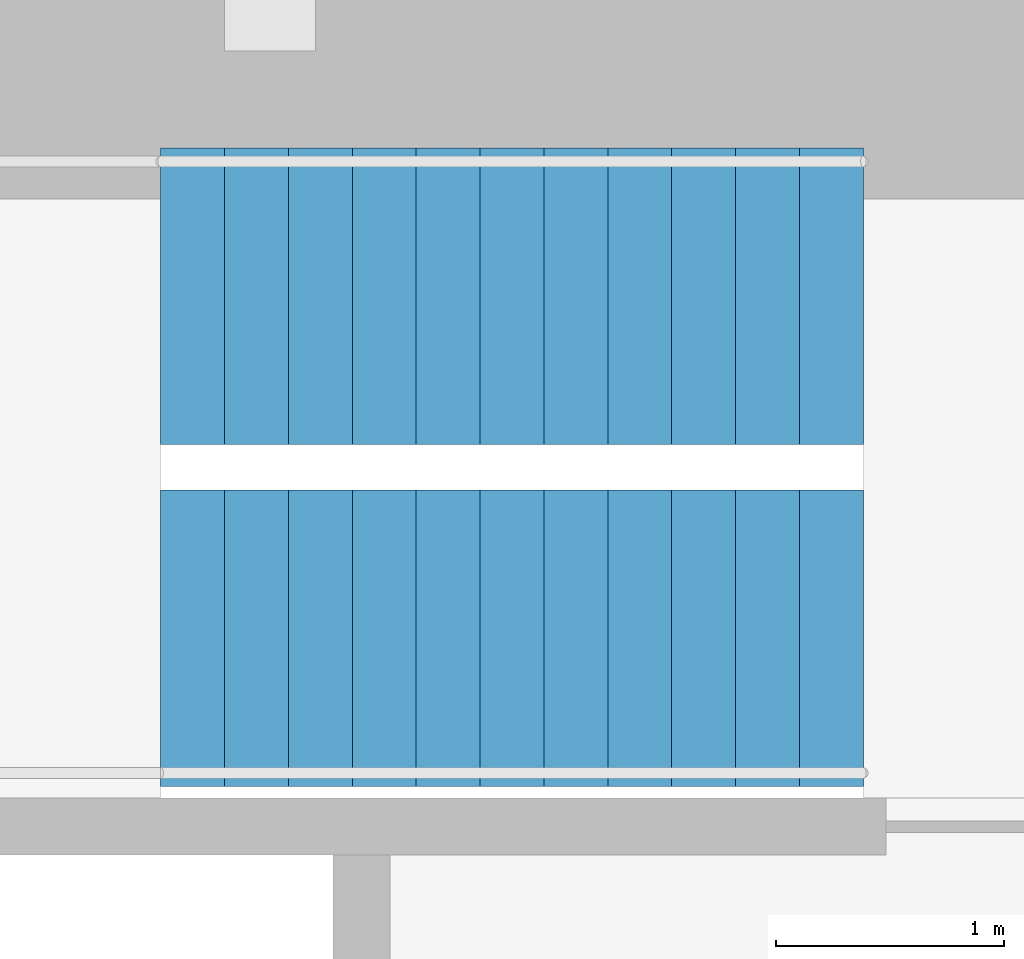
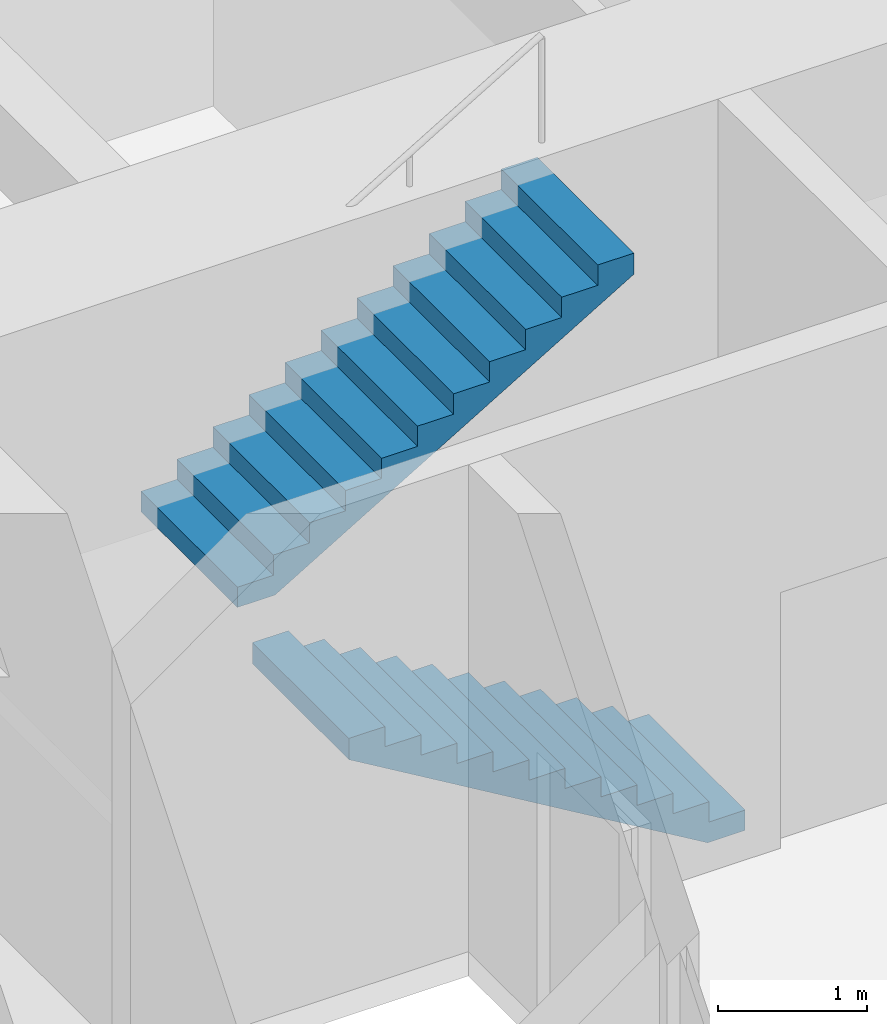
# One storey, part 12 of 13: 2 stair flights, 1 element without a shape of its own.
"""IFC4 building model written with IfcOpenShell, lengths in metres."""

from ifc_helpers import new_model, si_unit, direction, frame, origin, place, context, subcontext, project, spatial, polyline, outline, extrude, material, type_object, element, aggregate, save


model = new_model("IFC4")

# Units and contexts
model_context = context("Model", 3, precision=1e-05, world=origin(), true_north=direction((0.0, 1.0)))
body_context = subcontext(model_context, "Body", "Model", "MODEL_VIEW")
ifc_project = project(units=[si_unit("LENGTHUNIT", "METRE"), si_unit("AREAUNIT", "SQUARE_METRE"), si_unit("VOLUMEUNIT", "CUBIC_METRE"), si_unit("PLANEANGLEUNIT", "RADIAN"), si_unit("MASSUNIT", "GRAM", prefix="KILO")], contexts=[model_context])

# Site, building, storey
site_placement = place(None, origin())
site = spatial("IfcSite", under=ifc_project, at=site_placement, CompositionType="ELEMENT")
building_placement = place(site_placement, origin())
building = spatial("IfcBuilding", under=site, at=building_placement, Name="Torre Cruceta", CompositionType="ELEMENT")
storey_placement = place(building_placement, frame((0.0, 0.0, 152.5)))
storey = spatial("IfcBuildingStorey", under=building, at=storey_placement, Name="L37", CompositionType="ELEMENT", Elevation=152.5)

# Stair, stair flights
ifc_material_1 = material(Name="Concrete G30 (fck 30 MPa)", Category="concrete")
stair_type = type_object("IfcStairType", Name="STAIR HALF-TURN 1300", PredefinedType="HALF_TURN_STAIR", material=ifc_material_1)
stair_placement = place(storey_placement, origin())
stair = element("IfcStair", 1, at=stair_placement, inside=storey, type_object=stair_type, Name="Stair ST1 L37", PredefinedType="HALF_TURN_STAIR")
ifc_material_2 = material(Name="Concrete G30 (fck 30 MPa)", Category="concrete")
stair_flight_type = type_object("IfcStairFlightType", Name="STAIR FLIGHT 1300", PredefinedType="STRAIGHT", material=ifc_material_2)
stair_flight_1_placement = place(storey_placement, frame((-3.39990234375, 6.425048828125, 0.0), z_axis=(0.0, 0.0, 1.0), x_axis=(-1.0, 0.0, 0.0)))
stair_flight_1 = element("IfcStairFlight", 2, at=stair_flight_1_placement, type_object=stair_flight_type, Name="ST1 flight 1", NumberOfRisers=12, NumberOfTreads=11, PredefinedType="STRAIGHT", RiserHeight=0.166666667, TreadLength=0.28, context=body_context, shape_type="SweptSolid", body=[
    extrude(outline(polyline([(0.0, 0.0), (0.0, 0.166748046875), (0.280029296875, 0.166748046875), (0.280029296875, 0.333251953125), (0.56005859375, 0.333251953125), (0.56005859375, 0.5), (0.840087890625, 0.5), (0.840087890625, 0.666748046875), (1.1201171875, 0.666748046875), (1.1201171875, 0.833251953125), (1.39990234375, 0.833251953125), (1.39990234375, 1.0), (1.679931640625, 1.0), (1.679931640625, 1.166748046875), (1.9599609375, 1.166748046875), (1.9599609375, 1.333251953125), (2.239990234375, 1.333251953125), (2.239990234375, 1.5), (2.52001953125, 1.5), (2.52001953125, 1.666748046875), (2.800048828125, 1.666748046875), (2.800048828125, 1.833251953125), (3.080078125, 1.833251953125), (3.080078125, 2.0), (3.080078125, 1.658935546875), (0.29296875, 0.0), (0.0, 0.0)])), frame((0.0, 0.64990234375, 0.0), z_axis=(0.0, -1.0, 0.0), x_axis=(1.0, 0.0, 0.0)), (0.0, 0.0, 1.0), 1.300048828125),
])
stair_flight_2_placement = place(storey_placement, frame((-6.47998046875, 7.925048828125, 2.0), z_axis=(0.0, 0.0, 1.0), x_axis=(1.0, 0.0, 0.0)))
stair_flight_2 = element("IfcStairFlight", 3, at=stair_flight_2_placement, type_object=stair_flight_type, Name="ST1 flight 2", NumberOfRisers=12, NumberOfTreads=11, PredefinedType="STRAIGHT", RiserHeight=0.166666667, TreadLength=0.28, context=body_context, shape_type="SweptSolid", body=[
    extrude(outline(polyline([(0.0, 0.0), (0.0, 0.166748046875), (0.280029296875, 0.166748046875), (0.280029296875, 0.333251953125), (0.56005859375, 0.333251953125), (0.56005859375, 0.5), (0.840087890625, 0.5), (0.840087890625, 0.666748046875), (1.1201171875, 0.666748046875), (1.1201171875, 0.833251953125), (1.39990234375, 0.833251953125), (1.39990234375, 1.0), (1.679931640625, 1.0), (1.679931640625, 1.166748046875), (1.9599609375, 1.166748046875), (1.9599609375, 1.333251953125), (2.239990234375, 1.333251953125), (2.239990234375, 1.5), (2.52001953125, 1.5), (2.52001953125, 1.666748046875), (2.800048828125, 1.666748046875), (2.800048828125, 1.833251953125), (3.080078125, 1.833251953125), (3.080078125, 2.0), (3.080078125, 1.658935546875), (0.29296875, 0.0), (0.0, 0.0)])), frame((0.0, 0.64990234375, 0.0), z_axis=(0.0, -1.0, 0.0), x_axis=(1.0, 0.0, 0.0)), (0.0, 0.0, 1.0), 1.300048828125),
])
aggregate(stair, [stair_flight_1, stair_flight_2])

save(model, "model.ifc")
